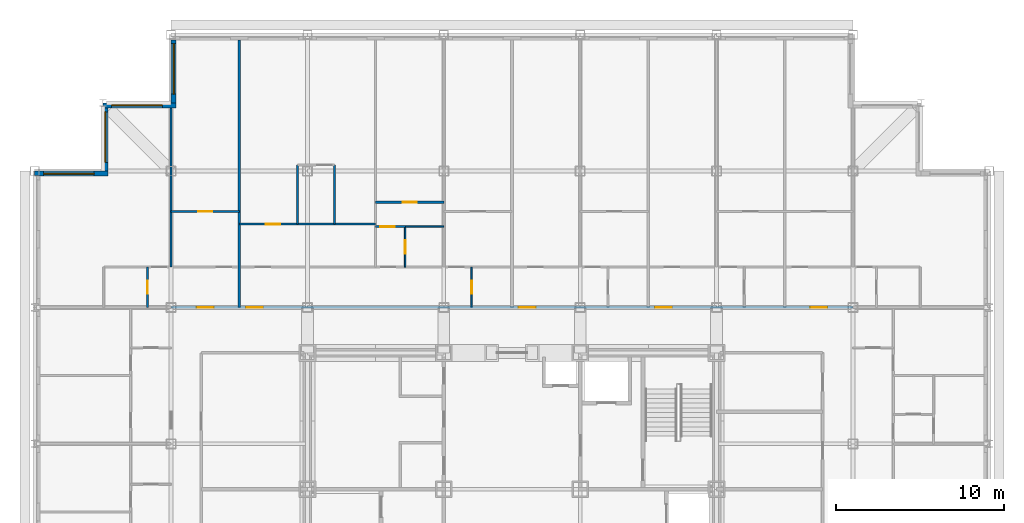
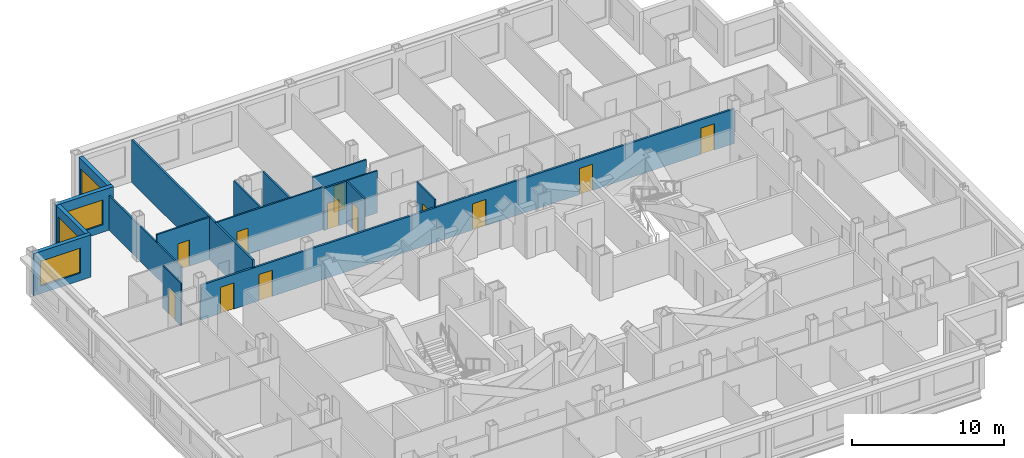
# One storey, part 9 of 12: 17 walls, 12 doors, 4 windows, 16 openings.
"""IFC4 building model written with IfcOpenShell, lengths in metres."""

from ifc_helpers import new_model, si_unit, direction, frame, frame_2d, origin, place, context, subcontext, project, spatial, rectangle, extrude, material, layer, layer_set, type_object, element, fill, save


model = new_model("IFC4")

# Units and contexts
model_context = context("Model", 3, precision=1e-05, world=origin(), true_north=direction((0.0, 1.0)))
body_context = subcontext(model_context, "Body", "Model", "MODEL_VIEW")
ifc_project = project(units=[si_unit("LENGTHUNIT", "METRE"), si_unit("AREAUNIT", "SQUARE_METRE"), si_unit("VOLUMEUNIT", "CUBIC_METRE"), si_unit("PLANEANGLEUNIT", "RADIAN"), si_unit("MASSUNIT", "GRAM", prefix="KILO")], contexts=[model_context])

# Site, building, storey
site_placement = place(None, origin())
site = spatial("IfcSite", under=ifc_project, at=site_placement, CompositionType="ELEMENT")
building_placement = place(site_placement, origin())
building = spatial("IfcBuilding", under=site, at=building_placement, Name="Kopane Lantern Tower", CompositionType="ELEMENT")
storey_placement = place(building_placement, frame((0.0, 0.0, 199.199951171875)))
storey = spatial("IfcBuildingStorey", under=building, at=storey_placement, Name="L51", CompositionType="ELEMENT", Elevation=199.199951171875)

# Wall
ifc_material_1 = material(Name="Gypsum board on steel studs", Category="steel")
ifc_layer_1 = layer(ifc_material_1, 0.1201171875)
ifc_layer_set_1 = layer_set([ifc_layer_1], Name="APARTMENT INTERNAL WALL 120")
wall_type_1 = type_object("IfcWallType", Name="APARTMENT INTERNAL WALL 120", PredefinedType="PARTITIONING", material=ifc_layer_set_1)
wall_1_placement = place(storey_placement, frame((8.10009765625, 45.60009765625, 0.0), z_axis=(0.0, 0.0, 1.0), x_axis=(0.0, 1.0, 0.0)))
element("IfcWall", 1, at=wall_1_placement, inside=storey, type_object=wall_type_1, Name="Apartment Internal Wall 120 L51", PredefinedType="PARTITIONING", context=body_context, shape_type="SweptSolid", body=[
    extrude(rectangle(XDim=9.449951171875, YDim=0.1201171875, at=frame_2d((4.72509765625, 0.0))), origin(), (0.0, 0.0, 1.0), 2.77783203125),
])

# Wall, opening, door
wall_2_placement = place(storey_placement, frame((20.25, 48.0, 0.0), z_axis=(0.0, 0.0, 1.0), x_axis=(1.0, 0.0, 0.0)))
wall_2 = element("IfcWall", 2, at=wall_2_placement, inside=storey, type_object=wall_type_1, Name="Apartment Internal Wall 120 L51", PredefinedType="PARTITIONING", context=body_context, shape_type="SweptSolid", body=[
    extrude(rectangle(XDim=1.760009765625, YDim=0.1201171875, at=frame_2d((0.8798828125, 0.0))), origin(), (0.0, 0.0, 1.0), 3.39013671875),
])
opening_1_placement = place(wall_2_placement, frame((0.27490234375, 0.0, 0.0)))
opening_1 = element("IfcOpeningElement", 3, at=opening_1_placement, cuts=wall_2, Name="Opening L51-076", PredefinedType="OPENING", context=body_context, shape_type="SweptSolid", body=[
    extrude(rectangle(XDim=0.85009765625, YDim=2.10009765625, at=frame_2d((0.425048828125, 1.050048828125))), frame((0.0, 0.070068359375, 0.0), z_axis=(0.0, -1.0, 0.0), x_axis=(1.0, 0.0, 0.0)), (0.0, 0.0, 1.0), 0.14013671875),
])
ifc_material_2 = material(Name="Timber door set", Category="wood")
door_type_1 = type_object("IfcDoorType", Name="DOOR D4 850x2100", OperationType="SINGLE_SWING_LEFT", PredefinedType="DOOR", material=ifc_material_2)
door_1_placement = place(opening_1_placement, origin())
door_1 = element("IfcDoor", 4, at=door_1_placement, inside=storey, type_object=door_type_1, Name="Door L51-076", OperationType="SINGLE_SWING_LEFT", OverallHeight=2.10009765625, OverallWidth=0.85009765625, PredefinedType="DOOR", context=body_context, shape_type="SweptSolid", body=[
    extrude(rectangle(XDim=0.85009765625, YDim=2.10009765625, at=frame_2d((0.425048828125, 1.050048828125))), frame((0.0, 0.02490234375, 0.0), z_axis=(0.0, -1.0, 0.0), x_axis=(1.0, 0.0, 0.0)), (0.0, 0.0, 1.0), 0.050048828125),
])
fill(opening_1, door_1)

wall_3_placement = place(storey_placement, frame((12.14990234375, 48.14990234375, 0.0), z_axis=(0.0, 0.0, 1.0), x_axis=(1.0, 0.0, 0.0)))
wall_3 = element("IfcWall", 5, at=wall_3_placement, inside=storey, type_object=wall_type_1, Name="Apartment Internal Wall 120 L51", PredefinedType="PARTITIONING", context=body_context, shape_type="SweptSolid", body=[
    extrude(rectangle(XDim=8.10009765625, YDim=0.1201171875, at=frame_2d((4.050048828125, 0.0))), origin(), (0.0, 0.0, 1.0), 3.39013671875),
])
opening_2_placement = place(wall_3_placement, frame((1.574951171875, 0.0, 0.0)))
opening_2 = element("IfcOpeningElement", 6, at=opening_2_placement, cuts=wall_3, Name="Opening L51-078", PredefinedType="OPENING", context=body_context, shape_type="SweptSolid", body=[
    extrude(rectangle(XDim=0.85009765625, YDim=2.10009765625, at=frame_2d((0.425048828125, 1.050048828125))), frame((0.0, 0.070068359375, 0.0), z_axis=(0.0, -1.0, 0.0), x_axis=(1.0, 0.0, 0.0)), (0.0, 0.0, 1.0), 0.14013671875),
])
door_2_placement = place(opening_2_placement, origin())
door_2 = element("IfcDoor", 7, at=door_2_placement, inside=storey, type_object=door_type_1, Name="Door L51-078", OperationType="SINGLE_SWING_LEFT", OverallHeight=2.10009765625, OverallWidth=0.85009765625, PredefinedType="DOOR", context=body_context, shape_type="SweptSolid", body=[
    extrude(rectangle(XDim=0.85009765625, YDim=2.10009765625, at=frame_2d((0.425048828125, 1.050048828125))), frame((0.0, 0.02490234375, 0.0), z_axis=(0.0, -1.0, 0.0), x_axis=(1.0, 0.0, 0.0)), (0.0, 0.0, 1.0), 0.050048828125),
])
fill(opening_2, door_2)

wall_4_placement = place(storey_placement, frame((20.25, 49.449951171875, 0.0), z_axis=(0.0, 0.0, 1.0), x_axis=(1.0, 0.0, 0.0)))
wall_4 = element("IfcWall", 8, at=wall_4_placement, inside=storey, type_object=wall_type_1, Name="Apartment Internal Wall 120 L51", PredefinedType="PARTITIONING", context=body_context, shape_type="SweptSolid", body=[
    extrude(rectangle(XDim=4.050048828125, YDim=0.1201171875, at=frame_2d((2.02490234375, 0.0))), origin(), (0.0, 0.0, 1.0), 3.39013671875),
])
opening_3_placement = place(wall_4_placement, frame((1.60009765625, 0.0, 0.0)))
opening_3 = element("IfcOpeningElement", 9, at=opening_3_placement, cuts=wall_4, Name="Opening L51-079", PredefinedType="OPENING", context=body_context, shape_type="SweptSolid", body=[
    extrude(rectangle(XDim=0.85009765625, YDim=2.10009765625, at=frame_2d((0.425048828125, 1.050048828125))), frame((0.0, 0.070068359375, 0.0), z_axis=(0.0, -1.0, 0.0), x_axis=(1.0, 0.0, 0.0)), (0.0, 0.0, 1.0), 0.14013671875),
])
door_3_placement = place(opening_3_placement, origin())
door_3 = element("IfcDoor", 10, at=door_3_placement, inside=storey, type_object=door_type_1, Name="Door L51-079", OperationType="SINGLE_SWING_RIGHT", OverallHeight=2.10009765625, OverallWidth=0.85009765625, PredefinedType="DOOR", context=body_context, shape_type="SweptSolid", body=[
    extrude(rectangle(XDim=0.85009765625, YDim=2.10009765625, at=frame_2d((0.425048828125, 1.050048828125))), frame((0.0, 0.02490234375, 0.0), z_axis=(0.0, -1.0, 0.0), x_axis=(1.0, 0.0, 0.0)), (0.0, 0.0, 1.0), 0.050048828125),
])
fill(opening_3, door_3)

wall_5_placement = place(storey_placement, frame((8.10009765625, 48.89990234375, 0.0), z_axis=(0.0, 0.0, 1.0), x_axis=(1.0, 0.0, 0.0)))
wall_5 = element("IfcWall", 11, at=wall_5_placement, inside=storey, type_object=wall_type_1, Name="Apartment Internal Wall 120 L51", PredefinedType="PARTITIONING", context=body_context, shape_type="SweptSolid", body=[
    extrude(rectangle(XDim=4.0498046875, YDim=0.1201171875, at=frame_2d((2.02490234375, 0.0))), origin(), (0.0, 0.0, 1.0), 3.39013671875),
])
opening_4_placement = place(wall_5_placement, frame((1.60009765625, 0.0, 0.0)))
opening_4 = element("IfcOpeningElement", 12, at=opening_4_placement, cuts=wall_5, Name="Opening L51-084", PredefinedType="OPENING", context=body_context, shape_type="SweptSolid", body=[
    extrude(rectangle(XDim=0.85009765625, YDim=2.10009765625, at=frame_2d((0.425048828125, 1.050048828125))), frame((0.0, 0.070068359375, 0.0), z_axis=(0.0, -1.0, 0.0), x_axis=(1.0, 0.0, 0.0)), (0.0, 0.0, 1.0), 0.14013671875),
])
door_4_placement = place(opening_4_placement, origin())
door_4 = element("IfcDoor", 13, at=door_4_placement, inside=storey, type_object=door_type_1, Name="Door L51-084", OperationType="SINGLE_SWING_RIGHT", OverallHeight=2.10009765625, OverallWidth=0.85009765625, PredefinedType="DOOR", context=body_context, shape_type="SweptSolid", body=[
    extrude(rectangle(XDim=0.85009765625, YDim=2.10009765625, at=frame_2d((0.425048828125, 1.050048828125))), frame((0.0, 0.02490234375, 0.0), z_axis=(0.0, -1.0, 0.0), x_axis=(1.0, 0.0, 0.0)), (0.0, 0.0, 1.0), 0.050048828125),
])
fill(opening_4, door_4)

# Walls
for number, where, z_axis, x_axis, name in (
    (14, (15.60009765625, 48.14990234375, 0.0), (0.0, 0.0, 1.0), (0.0, 1.0, 0.0), "Apartment Internal Wall 120 L51"),
    (15, (17.800048828125, 48.14990234375, 0.0), (0.0, 0.0, 1.0), (0.0, 1.0, 0.0), "Apartment Internal Wall 120 L51"),
):
    element("IfcWall", number, at=place(storey_placement, frame(where, z_axis=z_axis, x_axis=x_axis)), inside=storey, type_object=wall_type_1, Name=name, PredefinedType="PARTITIONING", context=body_context, shape_type="SweptSolid", body=[
        extrude(rectangle(XDim=3.510009765625, YDim=0.1201171875, at=frame_2d((1.7548828125, 0.0))), origin(), (0.0, 0.0, 1.0), 3.39013671875),
    ])

# Wall, opening, door
ifc_material_3 = material(Name="Moisture-resistant board on steel studs", Category="steel")
ifc_layer_2 = layer(ifc_material_3, 0.10009765625)
ifc_layer_set_2 = layer_set([ifc_layer_2], Name="BATHROOM WALL 100")
wall_type_2 = type_object("IfcWallType", Name="BATHROOM WALL 100", PredefinedType="PARTITIONING", material=ifc_layer_set_2)
wall_6_placement = place(storey_placement, frame((25.949951171875, 43.199951171875, 0.0), z_axis=(0.0, 0.0, 1.0), x_axis=(0.0, 1.0, 0.0)))
wall_6 = element("IfcWall", 16, at=wall_6_placement, inside=storey, type_object=wall_type_2, Name="Bathroom Wall 100 L51", PredefinedType="PARTITIONING", context=body_context, shape_type="SweptSolid", body=[
    extrude(rectangle(XDim=2.400146484375, YDim=0.10009765625, at=frame_2d((1.2001953125, 0.0))), origin(), (0.0, 0.0, 1.0), 3.39013671875),
])
opening_5_placement = place(wall_6_placement, frame((0.800048828125, 0.0, 0.0)))
opening_5 = element("IfcOpeningElement", 17, at=opening_5_placement, cuts=wall_6, Name="Opening L51-026", PredefinedType="OPENING", context=body_context, shape_type="SweptSolid", body=[
    extrude(rectangle(XDim=0.800048828125, YDim=2.10009765625, at=frame_2d((0.39990234375, 1.050048828125))), frame((0.0, 0.06005859375, 0.0), z_axis=(0.0, -1.0, 0.0), x_axis=(1.0, 0.0, 0.0)), (0.0, 0.0, 1.0), 0.1201171875),
])
ifc_material_4 = material(Name="Timber door set", Category="wood")
door_type_2 = type_object("IfcDoorType", Name="DOOR D2 800x2100", OperationType="SINGLE_SWING_LEFT", PredefinedType="DOOR", material=ifc_material_4)
door_5_placement = place(opening_5_placement, origin())
door_5 = element("IfcDoor", 18, at=door_5_placement, inside=storey, type_object=door_type_2, Name="Door L51-026", OperationType="SINGLE_SWING_RIGHT", OverallHeight=2.10009765625, OverallWidth=0.800048828125, PredefinedType="DOOR", context=body_context, shape_type="SweptSolid", body=[
    extrude(rectangle(XDim=0.800048828125, YDim=2.10009765625, at=frame_2d((0.39990234375, 1.050048828125))), frame((0.0, 0.02490234375, 0.0), z_axis=(0.0, -1.0, 0.0), x_axis=(1.0, 0.0, 0.0)), (0.0, 0.0, 1.0), 0.050048828125),
])
fill(opening_5, door_5)

wall_7_placement = place(storey_placement, frame((22.0, 45.60009765625, 0.0), z_axis=(0.0, 0.0, 1.0), x_axis=(0.0, 1.0, 0.0)))
wall_7 = element("IfcWall", 19, at=wall_7_placement, inside=storey, type_object=wall_type_2, Name="Bathroom Wall 100 L51", PredefinedType="PARTITIONING", context=body_context, shape_type="SweptSolid", body=[
    extrude(rectangle(XDim=2.39990234375, YDim=0.10009765625, at=frame_2d((1.199951171875, 0.0))), origin(), (0.0, 0.0, 1.0), 3.39013671875),
])
opening_6_placement = place(wall_7_placement, frame((0.800048828125, 0.0, 0.0)))
opening_6 = element("IfcOpeningElement", 20, at=opening_6_placement, cuts=wall_7, Name="Opening L51-029", PredefinedType="OPENING", context=body_context, shape_type="SweptSolid", body=[
    extrude(rectangle(XDim=0.800048828125, YDim=2.10009765625, at=frame_2d((0.39990234375, 1.050048828125))), frame((0.0, 0.06005859375, 0.0), z_axis=(0.0, -1.0, 0.0), x_axis=(1.0, 0.0, 0.0)), (0.0, 0.0, 1.0), 0.1201171875),
])
door_6_placement = place(opening_6_placement, origin())
door_6 = element("IfcDoor", 21, at=door_6_placement, inside=storey, type_object=door_type_2, Name="Door L51-029", OperationType="SINGLE_SWING_RIGHT", OverallHeight=2.10009765625, OverallWidth=0.800048828125, PredefinedType="DOOR", context=body_context, shape_type="SweptSolid", body=[
    extrude(rectangle(XDim=0.800048828125, YDim=2.10009765625, at=frame_2d((0.39990234375, 1.050048828125))), frame((0.0, 0.02490234375, 0.0), z_axis=(0.0, -1.0, 0.0), x_axis=(1.0, 0.0, 0.0)), (0.0, 0.0, 1.0), 0.050048828125),
])
fill(opening_6, door_6)

# Wall
wall_8_placement = place(storey_placement, frame((22.0, 48.0, 0.0), z_axis=(0.0, 0.0, 1.0), x_axis=(1.0, 0.0, 0.0)))
element("IfcWall", 22, at=wall_8_placement, inside=storey, type_object=wall_type_2, Name="Bathroom Wall 100 L51", PredefinedType="PARTITIONING", context=body_context, shape_type="SweptSolid", body=[
    extrude(rectangle(XDim=2.300048828125, YDim=0.10009765625, at=frame_2d((1.14990234375, 0.0))), origin(), (0.0, 0.0, 1.0), 3.39013671875),
])

# Wall, opening, door
wall_9_placement = place(storey_placement, frame((6.699951171875, 43.199951171875, 0.0), z_axis=(0.0, 0.0, 1.0), x_axis=(0.0, 1.0, 0.0)))
wall_9 = element("IfcWall", 23, at=wall_9_placement, inside=storey, type_object=wall_type_2, Name="Bathroom Wall 100 L51", PredefinedType="PARTITIONING", context=body_context, shape_type="SweptSolid", body=[
    extrude(rectangle(XDim=2.400146484375, YDim=0.10009765625, at=frame_2d((1.2001953125, 0.0))), origin(), (0.0, 0.0, 1.0), 3.39013671875),
])
opening_7_placement = place(wall_9_placement, frame((0.800048828125, 0.0, 0.0)))
opening_7 = element("IfcOpeningElement", 24, at=opening_7_placement, cuts=wall_9, Name="Opening L51-074", PredefinedType="OPENING", context=body_context, shape_type="SweptSolid", body=[
    extrude(rectangle(XDim=0.800048828125, YDim=2.10009765625, at=frame_2d((0.39990234375, 1.050048828125))), frame((0.0, 0.06005859375, 0.0), z_axis=(0.0, -1.0, 0.0), x_axis=(1.0, 0.0, 0.0)), (0.0, 0.0, 1.0), 0.1201171875),
])
door_7_placement = place(opening_7_placement, origin())
door_7 = element("IfcDoor", 25, at=door_7_placement, inside=storey, type_object=door_type_2, Name="Door L51-074", OperationType="SINGLE_SWING_LEFT", OverallHeight=2.10009765625, OverallWidth=0.800048828125, PredefinedType="DOOR", context=body_context, shape_type="SweptSolid", body=[
    extrude(rectangle(XDim=0.800048828125, YDim=2.10009765625, at=frame_2d((0.39990234375, 1.050048828125))), frame((0.0, 0.02490234375, 0.0), z_axis=(0.0, -1.0, 0.0), x_axis=(1.0, 0.0, 0.0)), (0.0, 0.0, 1.0), 0.050048828125),
])
fill(opening_7, door_7)

# Wall, openings, doors
ifc_material_5 = material(Name="Gypsum board on steel studs", Category="steel")
ifc_layer_3 = layer(ifc_material_5, 0.14990234375)
ifc_layer_set_3 = layer_set([ifc_layer_3], Name="CORRIDOR WALL 150 EI 60")
wall_type_3 = type_object("IfcWallType", Name="CORRIDOR WALL 150 EI 60", PredefinedType="PARTITIONING", material=ifc_layer_set_3)
wall_10_placement = place(storey_placement, frame((8.10009765625, 43.199951171875, 0.0), z_axis=(0.0, 0.0, 1.0), x_axis=(1.0, 0.0, 0.0)))
wall_10 = element("IfcWall", 26, at=wall_10_placement, inside=storey, type_object=wall_type_3, Name="Corridor Wall 150 Ei 60 L51", PredefinedType="PARTITIONING", context=body_context, shape_type="SweptSolid", body=[
    extrude(rectangle(XDim=40.5, YDim=0.14990234375, at=frame_2d((20.25, 0.0))), origin(), (0.0, 0.0, 1.0), 2.77783203125),
])
opening_8_placement = place(wall_10_placement, frame((4.449951171875, 0.0, 0.0)))
opening_8 = element("IfcOpeningElement", 27, at=opening_8_placement, cuts=wall_10, Name="Opening L51-027", PredefinedType="OPENING", context=body_context, shape_type="SweptSolid", body=[
    extrude(rectangle(XDim=1.0, YDim=2.10009765625, at=frame_2d((0.5, 1.050048828125))), frame((0.0, 0.0849609375, 0.0), z_axis=(0.0, -1.0, 0.0), x_axis=(1.0, 0.0, 0.0)), (0.0, 0.0, 1.0), 0.169921875),
])
opening_9_placement = place(wall_10_placement, frame((20.64990234375, 0.0, 0.0)))
opening_9 = element("IfcOpeningElement", 28, at=opening_9_placement, cuts=wall_10, Name="Opening L51-033", PredefinedType="OPENING", context=body_context, shape_type="SweptSolid", body=[
    extrude(rectangle(XDim=1.0, YDim=2.10009765625, at=frame_2d((0.5, 1.050048828125))), frame((0.0, 0.0849609375, 0.0), z_axis=(0.0, -1.0, 0.0), x_axis=(1.0, 0.0, 0.0)), (0.0, 0.0, 1.0), 0.169921875),
])
opening_10_placement = place(wall_10_placement, frame((28.75, 0.0, 0.0)))
opening_10 = element("IfcOpeningElement", 29, at=opening_10_placement, cuts=wall_10, Name="Opening L51-037", PredefinedType="OPENING", context=body_context, shape_type="SweptSolid", body=[
    extrude(rectangle(XDim=1.0, YDim=2.10009765625, at=frame_2d((0.5, 1.050048828125))), frame((0.0, 0.0849609375, 0.0), z_axis=(0.0, -1.0, 0.0), x_axis=(1.0, 0.0, 0.0)), (0.0, 0.0, 1.0), 0.169921875),
])
opening_11_placement = place(wall_10_placement, frame((37.97509765625, 0.0, 0.0)))
opening_11 = element("IfcOpeningElement", 30, at=opening_11_placement, cuts=wall_10, Name="Opening L51-068", PredefinedType="OPENING", context=body_context, shape_type="SweptSolid", body=[
    extrude(rectangle(XDim=1.0, YDim=2.10009765625, at=frame_2d((0.5, 1.050048828125))), frame((0.0, 0.0849609375, 0.0), z_axis=(0.0, -1.0, 0.0), x_axis=(1.0, 0.0, 0.0)), (0.0, 0.0, 1.0), 0.169921875),
])
opening_12_placement = place(wall_10_placement, frame((1.52490234375, 0.0, 0.0)))
opening_12 = element("IfcOpeningElement", 31, at=opening_12_placement, cuts=wall_10, Name="Opening L51-072", PredefinedType="OPENING", context=body_context, shape_type="SweptSolid", body=[
    extrude(rectangle(XDim=1.0, YDim=2.10009765625, at=frame_2d((0.5, 1.050048828125))), frame((0.0, 0.0849609375, 0.0), z_axis=(0.0, -1.0, 0.0), x_axis=(1.0, 0.0, 0.0)), (0.0, 0.0, 1.0), 0.169921875),
])
ifc_material_6 = material(Name="Steel door set", Category="steel")
door_type_3 = type_object("IfcDoorType", Name="DOOR D3 1000x2100 FD30S", OperationType="SINGLE_SWING_LEFT", PredefinedType="DOOR", material=ifc_material_6)
door_8_placement = place(opening_8_placement, origin())
door_8 = element("IfcDoor", 32, at=door_8_placement, inside=storey, type_object=door_type_3, Name="Door L51-027", OperationType="SINGLE_SWING_LEFT", OverallHeight=2.10009765625, OverallWidth=1.0, PredefinedType="DOOR", context=body_context, shape_type="SweptSolid", body=[
    extrude(rectangle(XDim=1.0, YDim=2.10009765625, at=frame_2d((0.5, 1.050048828125))), frame((0.0, 0.02490234375, 0.0), z_axis=(0.0, -1.0, 0.0), x_axis=(1.0, 0.0, 0.0)), (0.0, 0.0, 1.0), 0.050048828125),
])
fill(opening_8, door_8)
door_9_placement = place(opening_9_placement, origin())
door_9 = element("IfcDoor", 33, at=door_9_placement, inside=storey, type_object=door_type_3, Name="Door L51-033", OperationType="SINGLE_SWING_LEFT", OverallHeight=2.10009765625, OverallWidth=1.0, PredefinedType="DOOR", context=body_context, shape_type="SweptSolid", body=[
    extrude(rectangle(XDim=1.0, YDim=2.10009765625, at=frame_2d((0.5, 1.050048828125))), frame((0.0, 0.02490234375, 0.0), z_axis=(0.0, -1.0, 0.0), x_axis=(1.0, 0.0, 0.0)), (0.0, 0.0, 1.0), 0.050048828125),
])
fill(opening_9, door_9)
door_10_placement = place(opening_10_placement, origin())
door_10 = element("IfcDoor", 34, at=door_10_placement, inside=storey, type_object=door_type_3, Name="Door L51-037", OperationType="SINGLE_SWING_LEFT", OverallHeight=2.10009765625, OverallWidth=1.0, PredefinedType="DOOR", context=body_context, shape_type="SweptSolid", body=[
    extrude(rectangle(XDim=1.0, YDim=2.10009765625, at=frame_2d((0.5, 1.050048828125))), frame((0.0, 0.02490234375, 0.0), z_axis=(0.0, -1.0, 0.0), x_axis=(1.0, 0.0, 0.0)), (0.0, 0.0, 1.0), 0.050048828125),
])
fill(opening_10, door_10)
door_11_placement = place(opening_11_placement, origin())
door_11 = element("IfcDoor", 35, at=door_11_placement, inside=storey, type_object=door_type_3, Name="Door L51-068", OperationType="SINGLE_SWING_LEFT", OverallHeight=2.10009765625, OverallWidth=1.0, PredefinedType="DOOR", context=body_context, shape_type="SweptSolid", body=[
    extrude(rectangle(XDim=1.0, YDim=2.10009765625, at=frame_2d((0.5, 1.050048828125))), frame((0.0, 0.02490234375, 0.0), z_axis=(0.0, -1.0, 0.0), x_axis=(1.0, 0.0, 0.0)), (0.0, 0.0, 1.0), 0.050048828125),
])
fill(opening_11, door_11)
door_12_placement = place(opening_12_placement, origin())
door_12 = element("IfcDoor", 36, at=door_12_placement, inside=storey, type_object=door_type_3, Name="Door L51-072", OperationType="SINGLE_SWING_RIGHT", OverallHeight=2.10009765625, OverallWidth=1.0, PredefinedType="DOOR", context=body_context, shape_type="SweptSolid", body=[
    extrude(rectangle(XDim=1.0, YDim=2.10009765625, at=frame_2d((0.5, 1.050048828125))), frame((0.0, 0.02490234375, 0.0), z_axis=(0.0, -1.0, 0.0), x_axis=(1.0, 0.0, 0.0)), (0.0, 0.0, 1.0), 0.050048828125),
])
fill(opening_12, door_12)

# Wall
ifc_material_7 = material(Name="Gypsum board on steel studs", Category="steel")
ifc_layer_4 = layer(ifc_material_7, 0.14990234375)
ifc_layer_set_4 = layer_set([ifc_layer_4], Name="DEMISING WALL 150 EI 60")
wall_type_4 = type_object("IfcWallType", Name="DEMISING WALL 150 EI 60", PredefinedType="PARTITIONING", material=ifc_layer_set_4)
wall_11_placement = place(storey_placement, frame((12.14990234375, 43.199951171875, 0.0), z_axis=(0.0, 0.0, 1.0), x_axis=(0.0, 1.0, 0.0)))
element("IfcWall", 37, at=wall_11_placement, inside=storey, type_object=wall_type_4, Name="Demising Wall 150 Ei 60 L51", PredefinedType="PARTITIONING", context=body_context, shape_type="SweptSolid", body=[
    extrude(rectangle(XDim=15.900146484375, YDim=0.14990234375, at=frame_2d((7.9501953125, 0.0))), origin(), (0.0, 0.0, 1.0), 3.39013671875),
])

# Wall, opening, window
ifc_material_8 = material(Name="Terracotta rainscreen on light steel framing", Category="masonry")
ifc_layer_5 = layer(ifc_material_8, 0.300048828125)
ifc_layer_set_5 = layer_set([ifc_layer_5], Name="EXTERNAL WALL EW1 300 TERRACOTTA")
wall_type_5 = type_object("IfcWallType", Name="EXTERNAL WALL EW1 300 TERRACOTTA", PredefinedType="SOLIDWALL", material=ifc_layer_set_5)
wall_12_placement = place(storey_placement, frame((8.25, 59.10009765625, 0.0), z_axis=(0.0, 0.0, 1.0), x_axis=(0.0, -1.0, 0.0)))
wall_12 = element("IfcWall", 38, at=wall_12_placement, inside=storey, type_object=wall_type_5, Name="External wall W L51", PredefinedType="SOLIDWALL", context=body_context, shape_type="SweptSolid", body=[
    extrude(rectangle(XDim=3.75, YDim=0.300048828125, at=frame_2d((1.875, 0.0))), origin(), (0.0, 0.0, 1.0), 3.39013671875),
])
opening_13_placement = place(wall_12_placement, frame((0.22509765625, 0.0, 0.60009765625)))
opening_13 = element("IfcOpeningElement", 39, at=opening_13_placement, cuts=wall_12, Name="Opening WR300200", PredefinedType="OPENING", context=body_context, shape_type="SweptSolid", body=[
    extrude(rectangle(XDim=3.0, YDim=2.0, at=frame_2d((1.5, 1.0))), frame((0.0, 0.159912109375, 0.0), z_axis=(0.0, -1.0, 0.0), x_axis=(1.0, 0.0, 0.0)), (0.0, 0.0, 1.0), 0.320068359375),
])
ifc_material_9 = material(Name="Aluminium and clear glass", Category="aluminium")
window_type = type_object("IfcWindowType", Name="RIBBON WINDOW WR300200 3000x2000", PartitioningType="SINGLE_PANEL", PredefinedType="WINDOW", material=ifc_material_9)
window_1_placement = place(opening_13_placement, origin())
window_1 = element("IfcWindow", 40, at=window_1_placement, inside=storey, type_object=window_type, Name="Window W L51", OverallHeight=2.0, OverallWidth=3.0, PartitioningType="SINGLE_PANEL", PredefinedType="WINDOW", context=body_context, shape_type="SweptSolid", body=[
    extrude(rectangle(XDim=3.0, YDim=2.0, at=frame_2d((1.5, 1.0))), frame((0.0, 0.030029296875, 0.0), z_axis=(0.0, -1.0, 0.0), x_axis=(1.0, 0.0, 0.0)), (0.0, 0.0, 1.0), 0.06005859375),
])
fill(opening_13, window_1)

wall_13_placement = place(storey_placement, frame((8.39990234375, 55.199951171875, 0.0), z_axis=(0.0, 0.0, 1.0), x_axis=(-1.0, 0.0, 0.0)))
wall_13 = element("IfcWall", 41, at=wall_13_placement, inside=storey, type_object=wall_type_5, Name="External wall N L51", PredefinedType="SOLIDWALL", context=body_context, shape_type="SweptSolid", body=[
    extrude(rectangle(XDim=4.349853515625, YDim=0.300048828125, at=frame_2d((2.1748046875, 0.0))), origin(), (0.0, 0.0, 1.0), 3.39013671875),
])
opening_14_placement = place(wall_13_placement, frame((0.824951171875, 0.0, 0.60009765625)))
opening_14 = element("IfcOpeningElement", 42, at=opening_14_placement, cuts=wall_13, Name="Opening WR300200", PredefinedType="OPENING", context=body_context, shape_type="SweptSolid", body=[
    extrude(rectangle(XDim=3.0, YDim=2.0, at=frame_2d((1.5, 1.0))), frame((0.0, 0.159912109375, 0.0), z_axis=(0.0, -1.0, 0.0), x_axis=(1.0, 0.0, 0.0)), (0.0, 0.0, 1.0), 0.320068359375),
])
window_2_placement = place(opening_14_placement, origin())
window_2 = element("IfcWindow", 43, at=window_2_placement, inside=storey, type_object=window_type, Name="Window N L51", OverallHeight=2.0, OverallWidth=3.0, PartitioningType="SINGLE_PANEL", PredefinedType="WINDOW", context=body_context, shape_type="SweptSolid", body=[
    extrude(rectangle(XDim=3.0, YDim=2.0, at=frame_2d((1.5, 1.0))), frame((0.0, 0.030029296875, 0.0), z_axis=(0.0, -1.0, 0.0), x_axis=(1.0, 0.0, 0.0)), (0.0, 0.0, 1.0), 0.06005859375),
])
fill(opening_14, window_2)

wall_14_placement = place(storey_placement, frame((4.199951171875, 55.050048828125, 0.0), z_axis=(0.0, 0.0, 1.0), x_axis=(0.0, -1.0, 0.0)))
wall_14 = element("IfcWall", 44, at=wall_14_placement, inside=storey, type_object=wall_type_5, Name="External wall W L51", PredefinedType="SOLIDWALL", context=body_context, shape_type="SweptSolid", body=[
    extrude(rectangle(XDim=3.75, YDim=0.300048828125, at=frame_2d((1.875, 0.0))), origin(), (0.0, 0.0, 1.0), 3.39013671875),
])
opening_15_placement = place(wall_14_placement, frame((0.22509765625, 0.0, 0.60009765625)))
opening_15 = element("IfcOpeningElement", 45, at=opening_15_placement, cuts=wall_14, Name="Opening WR300200", PredefinedType="OPENING", context=body_context, shape_type="SweptSolid", body=[
    extrude(rectangle(XDim=3.0, YDim=2.0, at=frame_2d((1.5, 1.0))), frame((0.0, 0.159912109375, 0.0), z_axis=(0.0, -1.0, 0.0), x_axis=(1.0, 0.0, 0.0)), (0.0, 0.0, 1.0), 0.320068359375),
])
window_3_placement = place(opening_15_placement, origin())
window_3 = element("IfcWindow", 46, at=window_3_placement, inside=storey, type_object=window_type, Name="Window W L51", OverallHeight=2.0, OverallWidth=3.0, PartitioningType="SINGLE_PANEL", PredefinedType="WINDOW", context=body_context, shape_type="SweptSolid", body=[
    extrude(rectangle(XDim=3.0, YDim=2.0, at=frame_2d((1.5, 1.0))), frame((0.0, 0.030029296875, 0.0), z_axis=(0.0, -1.0, 0.0), x_axis=(1.0, 0.0, 0.0)), (0.0, 0.0, 1.0), 0.06005859375),
])
fill(opening_15, window_3)

wall_15_placement = place(storey_placement, frame((4.35009765625, 51.14990234375, 0.0), z_axis=(0.0, 0.0, 1.0), x_axis=(-1.0, 0.0, 0.0)))
wall_15 = element("IfcWall", 47, at=wall_15_placement, inside=storey, type_object=wall_type_5, Name="External wall N L51", PredefinedType="SOLIDWALL", context=body_context, shape_type="SweptSolid", body=[
    extrude(rectangle(XDim=4.35009765625, YDim=0.300048828125, at=frame_2d((2.175048828125, 0.0))), origin(), (0.0, 0.0, 1.0), 3.39013671875),
])
opening_16_placement = place(wall_15_placement, frame((0.824951171875, 0.0, 0.60009765625)))
opening_16 = element("IfcOpeningElement", 48, at=opening_16_placement, cuts=wall_15, Name="Opening WR300200", PredefinedType="OPENING", context=body_context, shape_type="SweptSolid", body=[
    extrude(rectangle(XDim=3.0, YDim=2.0, at=frame_2d((1.5, 1.0))), frame((0.0, 0.159912109375, 0.0), z_axis=(0.0, -1.0, 0.0), x_axis=(1.0, 0.0, 0.0)), (0.0, 0.0, 1.0), 0.320068359375),
])
window_4_placement = place(opening_16_placement, origin())
window_4 = element("IfcWindow", 49, at=window_4_placement, inside=storey, type_object=window_type, Name="Window N L51", OverallHeight=2.0, OverallWidth=3.0, PartitioningType="SINGLE_PANEL", PredefinedType="WINDOW", context=body_context, shape_type="SweptSolid", body=[
    extrude(rectangle(XDim=3.0, YDim=2.0, at=frame_2d((1.5, 1.0))), frame((0.0, 0.030029296875, 0.0), z_axis=(0.0, -1.0, 0.0), x_axis=(1.0, 0.0, 0.0)), (0.0, 0.0, 1.0), 0.06005859375),
])
fill(opening_16, window_4)

save(model, "model.ifc")
